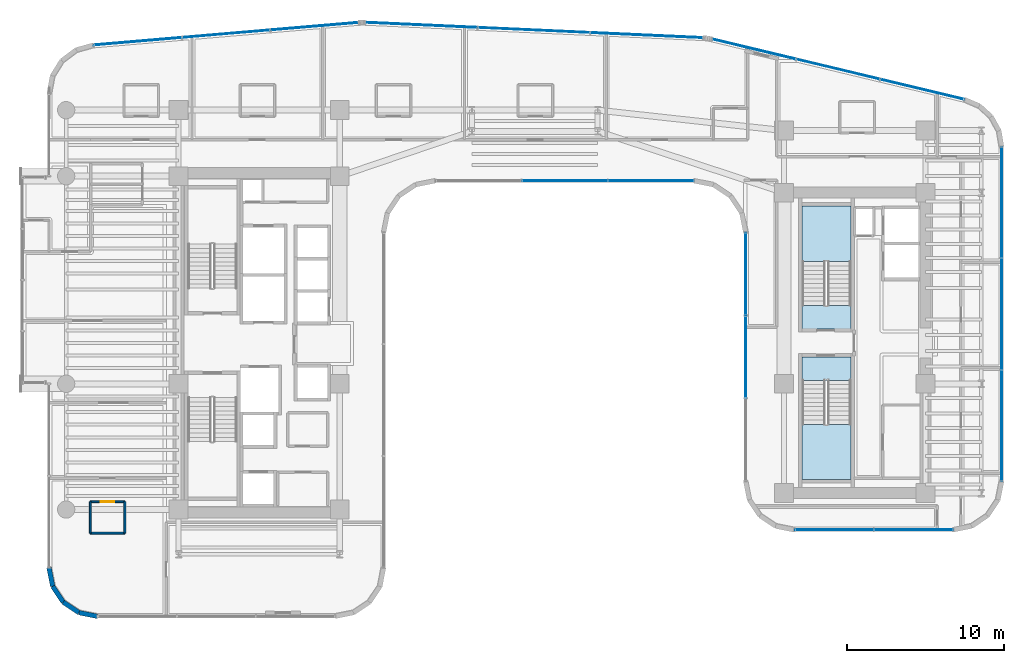
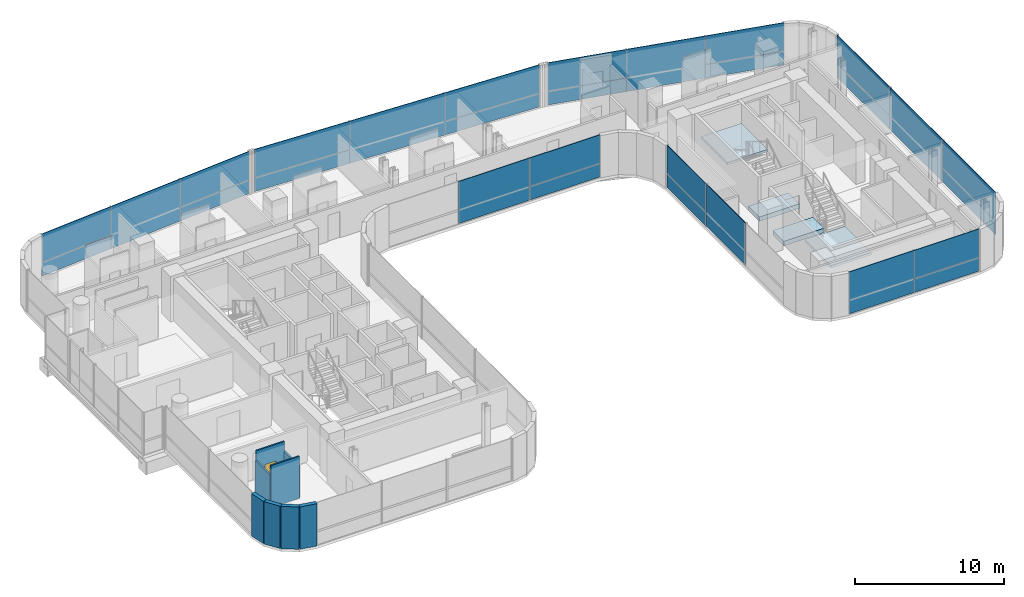
# One storey, part 25 of 35: 29 plates, 8 walls, 4 slabs, 1 door, 1 opening, 9 elements without a shape of their own.
"""IFC4 building model written with IfcOpenShell, lengths in metres."""

from ifc_helpers import new_model, si_unit, direction, frame, frame_2d, origin, origin_2d, place, context, subcontext, project, spatial, polyline, rectangle, outline, extrude, source, transform, mapped, material, layer, layer_set, type_object, element, fill, aggregate, save


model = new_model("IFC4")

# Units and contexts
model_context = context("Model", 3, precision=1e-05, world=origin(), true_north=direction((0.0, 1.0)))
body_context = subcontext(model_context, "Body", "Model", "MODEL_VIEW")
ifc_project = project(units=[si_unit("LENGTHUNIT", "METRE"), si_unit("AREAUNIT", "SQUARE_METRE"), si_unit("VOLUMEUNIT", "CUBIC_METRE"), si_unit("PLANEANGLEUNIT", "RADIAN"), si_unit("MASSUNIT", "GRAM", prefix="KILO")], contexts=[model_context])

# Site, building, storey
site_placement = place(None, origin())
site = spatial("IfcSite", under=ifc_project, at=site_placement, CompositionType="ELEMENT")
building_placement = place(site_placement, origin())
building = spatial("IfcBuilding", under=site, at=building_placement, Name="Valdorenza Pilgrim Sanctuary Tower", CompositionType="ELEMENT")
storey_placement = place(building_placement, frame((0.0, 0.0, 113.10009765625)))
storey = spatial("IfcBuildingStorey", under=building, at=storey_placement, Name="L28", CompositionType="ELEMENT", Elevation=113.10009765625)

# Stair, slab
ifc_material_1 = material(Name="Concrete C40/50", Category="concrete")
stair_type = type_object("IfcStairType", Name="STR-DOG-CORE", PredefinedType="HALF_TURN_STAIR", material=ifc_material_1)
stair_1_placement = place(storey_placement, origin())
stair_1 = element("IfcStair", 1, at=stair_1_placement, inside=storey, type_object=stair_type, Name="L28 ST-B1", PredefinedType="HALF_TURN_STAIR")
ifc_layer_1 = layer(ifc_material_1, 0.199951171875, Name="Concrete C40/50")
ifc_layer_set_1 = layer_set([ifc_layer_1], Name="Concrete C40/50")
slab_type_1 = type_object("IfcSlabType", Name="SLAB-STL-200", PredefinedType="LANDING", material=ifc_layer_set_1)
slab_1_placement = place(storey_placement, frame((0.0, 0.0, 1.64990234375)))
slab_1 = element("IfcSlab", 2, at=slab_1_placement, type_object=slab_type_1, Name="ST-B1 landing 1", PredefinedType="LANDING", context=body_context, shape_type="SweptSolid", body=[
    extrude(outline(polyline([(20.110107421875, 5.179931640625), (20.110107421875, 8.699951171875), (17.0, 8.699951171875), (17.0, 5.179931640625), (20.110107421875, 5.179931640625)])), origin(), (0.0, 0.0, 1.0), 0.199951171875),
])
aggregate(stair_1, [slab_1])

stair_2_placement = place(storey_placement, origin())
stair_2 = element("IfcStair", 3, at=stair_2_placement, inside=storey, type_object=stair_type, Name="L28 ST-B2", PredefinedType="HALF_TURN_STAIR")
slab_2_placement = place(storey_placement, frame((0.0, 0.0, 1.64990234375)))
slab_2 = element("IfcSlab", 4, at=slab_2_placement, type_object=slab_type_1, Name="ST-B2 landing 1", PredefinedType="LANDING", context=body_context, shape_type="SweptSolid", body=[
    extrude(outline(polyline([(17.0, -5.179931640625), (17.0, -8.699951171875), (20.110107421875, -8.699951171875), (20.110107421875, -5.179931640625), (17.0, -5.179931640625)])), origin(), (0.0, 0.0, 1.0), 0.199951171875),
])
aggregate(stair_2, [slab_2])

# Slabs
ifc_material_2 = material(Name="Concrete C50/60", Category="concrete")
ifc_layer_2 = layer(ifc_material_2, 0.39990234375, Name="Concrete C50/60")
ifc_layer_set_2 = layer_set([ifc_layer_2], Name="Concrete C50/60")
slab_type_2 = type_object("IfcSlabType", Name="SLAB-TRF-400", PredefinedType="FLOOR", material=ifc_layer_set_2)
slab_3_placement = place(storey_placement, frame((0.0, 0.0, -0.360107421875)))
element("IfcSlab", 5, at=slab_3_placement, inside=storey, type_object=slab_type_2, Name="L28 ST-B1 Structural Stair Landing Bearing Slab", PredefinedType="FLOOR", context=body_context, shape_type="SweptSolid", body=[
    extrude(outline(polyline([(17.0, 0.89990234375), (20.110107421875, 0.89990234375), (20.110107421875, 2.385009765625), (17.0, 2.385009765625), (17.0, 0.89990234375)])), origin(), (0.0, 0.0, 1.0), 0.360107421875),
])
slab_4_placement = place(storey_placement, frame((0.0, 0.0, -0.360107421875)))
element("IfcSlab", 6, at=slab_4_placement, inside=storey, type_object=slab_type_2, Name="L28 ST-B2 Structural Stair Landing Bearing Slab", PredefinedType="FLOOR", context=body_context, shape_type="SweptSolid", body=[
    extrude(outline(polyline([(17.0, -2.385009765625), (20.110107421875, -2.385009765625), (20.110107421875, -0.89990234375), (17.0, -0.89990234375), (17.0, -2.385009765625)])), origin(), (0.0, 0.0, 1.0), 0.360107421875),
])

# Curtain wall, plates
ifc_material_3 = material(Name="Curtain-wall IGU glazing", Category="glass")
curtain_wall_type_1 = type_object("IfcCurtainWallType", Name="CW-SYS-02", PredefinedType="NOTDEFINED", material=ifc_material_3)
curtain_wall_1_placement = place(storey_placement, origin())
curtain_wall_1 = element("IfcCurtainWall", 7, at=curtain_wall_1_placement, inside=storey, type_object=curtain_wall_type_1, Name="L28 Curtain Wall CW-L28-1-36", PredefinedType="NOTDEFINED")
ifc_material_4 = material(Name="Honed travertine limestone", Category="masonry")
ifc_layer_3 = layer(ifc_material_4, 0.050048828125, Name="Honed travertine limestone")
ifc_layer_set_3 = layer_set([ifc_layer_3], Name="Honed travertine limestone")
plate_type_1 = type_object("IfcPlateType", Name="CW-SPN-TRV", PredefinedType="USERDEFINED", material=ifc_layer_set_3)
shared_shape_1 = source(origin(), body_context, "Body", "SweptSolid", [
    extrude(rectangle(XDim=5.453857421875, YDim=0.06005859375, at=origin_2d()), origin(), (0.0, 0.0, 1.0), 1.10009765625),
])
plate_1_placement = place(storey_placement, frame((7.373779296875, 10.31005859375, 0.009765625), z_axis=(0.0, 0.0, 1.0), x_axis=(-1.0, 0.0, 0.0)))
plate_1 = element("IfcPlate", 8, at=plate_1_placement, type_object=plate_type_1, Name="CW-L28-1-36 Travertine Spandrel 1", ObjectType="SPANDREL", PredefinedType="USERDEFINED", context=body_context, shape_type="MappedRepresentation", body=[
    mapped(shared_shape_1, transform((0.0, 0.0, 0.0), x_axis=(1.0, 0.0, 0.0), y_axis=(0.0, 1.0, 0.0), z_axis=(0.0, 0.0, 1.0), scale=1.0)),
])
ifc_material_5 = material(Name="Ceramic-fritted low-E IGU glazing", Category="glass")
ifc_layer_4 = layer(ifc_material_5, 0.035888671875, Name="Ceramic-fritted low-E IGU glazing")
ifc_layer_set_4 = layer_set([ifc_layer_4], Name="Ceramic-fritted low-E IGU glazing")
plate_type_2 = type_object("IfcPlateType", Name="CW-GLZ-IGU", PredefinedType="USERDEFINED", material=ifc_layer_set_4)
shared_shape_2 = source(origin(), body_context, "Body", "SweptSolid", [
    extrude(rectangle(XDim=5.453857421875, YDim=0.050048828125, at=origin_2d()), origin(), (0.0, 0.0, 1.0), 2.320068359375),
])
plate_2_placement = place(storey_placement, frame((7.373779296875, 10.31005859375, 1.1298828125), z_axis=(0.0, 0.0, 1.0), x_axis=(-1.0, 0.0, 0.0)))
plate_2 = element("IfcPlate", 9, at=plate_2_placement, type_object=plate_type_2, Name="CW-L28-1-36 Facade Panel 1", ObjectType="GLAZING", PredefinedType="USERDEFINED", context=body_context, shape_type="MappedRepresentation", body=[
    mapped(shared_shape_2, transform((0.0, 0.0, 0.0), x_axis=(1.0, 0.0, 0.0), y_axis=(0.0, 1.0, 0.0), z_axis=(0.0, 0.0, 1.0), scale=1.0)),
])
shared_shape_3 = source(origin(), body_context, "Body", "SweptSolid", [
    extrude(rectangle(XDim=5.453857421875, YDim=0.050048828125, at=origin_2d()), origin(), (0.0, 0.0, 1.0), 3.43994140625),
])
plate_3_placement = place(storey_placement, frame((1.89990234375, 10.31005859375, 0.010009765625), z_axis=(0.0, 0.0, 1.0), x_axis=(-1.0, 0.0, 0.0)))
plate_3 = element("IfcPlate", 10, at=plate_3_placement, type_object=plate_type_2, Name="CW-L28-1-36 Full-Height Facade Panel 2", ObjectType="GLAZING", PredefinedType="USERDEFINED", context=body_context, shape_type="MappedRepresentation", body=[
    mapped(shared_shape_3, transform((0.0, 0.0, 0.0), x_axis=(1.0, 0.0, 0.0), y_axis=(0.0, 1.0, 0.0), z_axis=(0.0, 0.0, 1.0), scale=1.0)),
])
aggregate(curtain_wall_1, [plate_1, plate_2, plate_3])

curtain_wall_2_placement = place(storey_placement, origin())
curtain_wall_2 = element("IfcCurtainWall", 11, at=curtain_wall_2_placement, inside=storey, type_object=curtain_wall_type_1, Name="L28 Curtain Wall CW-L28-1-6", PredefinedType="NOTDEFINED")
shared_shape_4 = source(origin(), body_context, "Body", "SweptSolid", [
    extrude(rectangle(XDim=5.61767578125, YDim=0.06005859375, at=origin_2d()), origin(), (0.0, 0.0, 1.0), 1.10009765625),
])
plate_4_placement = place(storey_placement, frame((-25.242919921875, 19.178955078125, 0.009765625), z_axis=(0.0, 0.0, 1.0), x_axis=(0.99640764237, 0.084686541006, 0.0)))
plate_4 = element("IfcPlate", 12, at=plate_4_placement, type_object=plate_type_1, Name="CW-L28-1-6 Travertine Spandrel 1", ObjectType="SPANDREL", PredefinedType="USERDEFINED", context=body_context, shape_type="MappedRepresentation", body=[
    mapped(shared_shape_4, transform((0.0, 0.0, 0.0), x_axis=(1.0, 0.0, 0.0), y_axis=(0.0, 1.0, 0.0), z_axis=(0.0, 0.0, 1.0), scale=1.0)),
])
plate_5_placement = place(storey_placement, frame((-14.008056640625, 20.1337890625, 0.009765625), z_axis=(0.0, 0.0, 1.0), x_axis=(0.99640764237, 0.084686541006, 0.0)))
plate_5 = element("IfcPlate", 13, at=plate_5_placement, type_object=plate_type_1, Name="CW-L28-1-6 Travertine Spandrel 3", ObjectType="SPANDREL", PredefinedType="USERDEFINED", context=body_context, shape_type="MappedRepresentation", body=[
    mapped(shared_shape_4, transform((0.0, 0.0, 0.0), x_axis=(1.0, 0.0, 0.0), y_axis=(0.0, 1.0, 0.0), z_axis=(0.0, 0.0, 1.0), scale=1.0)),
])

curtain_wall_3_placement = place(storey_placement, origin())
curtain_wall_3 = element("IfcCurtainWall", 14, at=curtain_wall_3_placement, inside=storey, type_object=curtain_wall_type_1, Name="L28 Curtain Wall CW-L28-1-11", PredefinedType="NOTDEFINED")
shared_shape_5 = source(origin(), body_context, "Body", "SweptSolid", [
    extrude(rectangle(XDim=7.1494140625, YDim=0.06005859375, at=origin_2d()), origin(), (0.0, 0.0, 1.0), 1.10009765625),
])
plate_6_placement = place(storey_placement, frame((-7.21484375, 20.2177734375, 0.009765625), z_axis=(0.0, 0.0, 1.0), x_axis=(0.998968193221, -0.045415294044, 0.0)))
plate_6 = element("IfcPlate", 15, at=plate_6_placement, type_object=plate_type_1, Name="CW-L28-1-11 Travertine Spandrel 1", ObjectType="SPANDREL", PredefinedType="USERDEFINED", context=body_context, shape_type="MappedRepresentation", body=[
    mapped(shared_shape_5, transform((0.0, 0.0, 0.0), x_axis=(1.0, 0.0, 0.0), y_axis=(0.0, 1.0, 0.0), z_axis=(0.0, 0.0, 1.0), scale=1.0)),
])
plate_7_placement = place(storey_placement, frame((7.10888671875, 19.56689453125, 0.009765625), z_axis=(0.0, 0.0, 1.0), x_axis=(0.998968193221, -0.045415294044, 0.0)))
plate_7 = element("IfcPlate", 16, at=plate_7_placement, type_object=plate_type_1, Name="CW-L28-1-11 Travertine Spandrel 3", ObjectType="SPANDREL", PredefinedType="USERDEFINED", context=body_context, shape_type="MappedRepresentation", body=[
    mapped(shared_shape_5, transform((0.0, 0.0, 0.0), x_axis=(1.0, 0.0, 0.0), y_axis=(0.0, 1.0, 0.0), z_axis=(0.0, 0.0, 1.0), scale=1.0)),
])

curtain_wall_type_2 = type_object("IfcCurtainWallType", Name="CW-SYS-03", PredefinedType="NOTDEFINED", material=ifc_material_3)
curtain_wall_4_placement = place(storey_placement, origin())
curtain_wall_4 = element("IfcCurtainWall", 17, at=curtain_wall_4_placement, inside=storey, type_object=curtain_wall_type_2, Name="L28 Curtain Wall CW-L28-1-16", PredefinedType="NOTDEFINED")
shared_shape_6 = source(origin(), body_context, "Body", "SweptSolid", [
    extrude(rectangle(XDim=5.477294921875, YDim=0.06005859375, at=origin_2d()), origin(), (0.0, 0.0, 1.0), 1.10009765625),
])
plate_8_placement = place(storey_placement, frame((13.944580078125, 18.68212890625, 0.009765625), z_axis=(0.0, 0.0, 1.0), x_axis=(0.972528596343, -0.232783438617, 0.0)))
plate_8 = element("IfcPlate", 18, at=plate_8_placement, type_object=plate_type_1, Name="CW-L28-1-16 Travertine Spandrel 1", ObjectType="SPANDREL", PredefinedType="USERDEFINED", context=body_context, shape_type="MappedRepresentation", body=[
    mapped(shared_shape_6, transform((0.0, 0.0, 0.0), x_axis=(1.0, 0.0, 0.0), y_axis=(0.0, 1.0, 0.0), z_axis=(0.0, 0.0, 1.0), scale=1.0)),
])
plate_9_placement = place(storey_placement, frame((24.63720703125, 16.122802734375, 0.009765625), z_axis=(0.0, 0.0, 1.0), x_axis=(0.972528596343, -0.232783438617, 0.0)))
plate_9 = element("IfcPlate", 19, at=plate_9_placement, type_object=plate_type_1, Name="CW-L28-1-16 Travertine Spandrel 3", ObjectType="SPANDREL", PredefinedType="USERDEFINED", context=body_context, shape_type="MappedRepresentation", body=[
    mapped(shared_shape_6, transform((0.0, 0.0, 0.0), x_axis=(1.0, 0.0, 0.0), y_axis=(0.0, 1.0, 0.0), z_axis=(0.0, 0.0, 1.0), scale=1.0)),
])

curtain_wall_5_placement = place(storey_placement, origin())
curtain_wall_5 = element("IfcCurtainWall", 20, at=curtain_wall_5_placement, inside=storey, type_object=curtain_wall_type_2, Name="L28 Curtain Wall CW-L28-1-21", PredefinedType="NOTDEFINED")
shared_shape_7 = source(origin(), body_context, "Body", "SweptSolid", [
    extrude(rectangle(XDim=7.065185546875, YDim=0.06005859375, at=origin_2d()), origin(), (0.0, 0.0, 1.0), 1.10009765625),
])
plate_10_placement = place(storey_placement, frame((29.68994140625, 8.923828125, 0.009765625), z_axis=(0.0, 0.0, 1.0), x_axis=(0.0, -1.0, 0.0)))
plate_10 = element("IfcPlate", 21, at=plate_10_placement, type_object=plate_type_1, Name="CW-L28-1-21 Travertine Spandrel 1", ObjectType="SPANDREL", PredefinedType="USERDEFINED", context=body_context, shape_type="MappedRepresentation", body=[
    mapped(shared_shape_7, transform((0.0, 0.0, 0.0), x_axis=(1.0, 0.0, 0.0), y_axis=(0.0, 1.0, 0.0), z_axis=(0.0, 0.0, 1.0), scale=1.0)),
])
plate_11_placement = place(storey_placement, frame((29.68994140625, -5.24658203125, 0.009765625), z_axis=(0.0, 0.0, 1.0), x_axis=(0.0, -1.0, 0.0)))
plate_11 = element("IfcPlate", 22, at=plate_11_placement, type_object=plate_type_1, Name="CW-L28-1-21 Travertine Spandrel 3", ObjectType="SPANDREL", PredefinedType="USERDEFINED", context=body_context, shape_type="MappedRepresentation", body=[
    mapped(shared_shape_7, transform((0.0, 0.0, 0.0), x_axis=(1.0, 0.0, 0.0), y_axis=(0.0, 1.0, 0.0), z_axis=(0.0, 0.0, 1.0), scale=1.0)),
])

# Curtain wall, plate
curtain_wall_6_placement = place(storey_placement, origin())
curtain_wall_6 = element("IfcCurtainWall", 23, at=curtain_wall_6_placement, inside=storey, type_object=curtain_wall_type_2, Name="L28 Curtain Wall CW-L28-1-26", PredefinedType="NOTDEFINED")
shared_shape_8 = source(origin(), body_context, "Body", "SweptSolid", [
    extrude(rectangle(XDim=5.019287109375, YDim=0.06005859375, at=origin_2d()), origin(), (0.0, 0.0, 1.0), 1.10009765625),
])
plate_12_placement = place(storey_placement, frame((24.069580078125, -11.889892578125, 0.009765625), z_axis=(0.0, 0.0, 1.0), x_axis=(-1.0, 0.0, 0.0)))
plate_12 = element("IfcPlate", 24, at=plate_12_placement, type_object=plate_type_1, Name="CW-L28-1-26 Travertine Spandrel 1", ObjectType="SPANDREL", PredefinedType="USERDEFINED", context=body_context, shape_type="MappedRepresentation", body=[
    mapped(shared_shape_8, transform((0.0, 0.0, 0.0), x_axis=(1.0, 0.0, 0.0), y_axis=(0.0, 1.0, 0.0), z_axis=(0.0, 0.0, 1.0), scale=1.0)),
])

curtain_wall_7_placement = place(storey_placement, origin())
curtain_wall_7 = element("IfcCurtainWall", 25, at=curtain_wall_7_placement, inside=storey, type_object=curtain_wall_type_2, Name="L28 Curtain Wall CW-L28-1-31", PredefinedType="NOTDEFINED")
shared_shape_9 = source(origin(), body_context, "Body", "SweptSolid", [
    extrude(rectangle(XDim=5.24658203125, YDim=0.06005859375, at=origin_2d()), origin(), (0.0, 0.0, 1.0), 1.10009765625),
])
plate_13_placement = place(storey_placement, frame((13.409912109375, 4.37744140625, 0.009765625), z_axis=(0.0, 0.0, 1.0), x_axis=(0.0, 1.0, 0.0)))
plate_13 = element("IfcPlate", 26, at=plate_13_placement, type_object=plate_type_1, Name="CW-L28-1-31 Travertine Spandrel 3", ObjectType="SPANDREL", PredefinedType="USERDEFINED", context=body_context, shape_type="MappedRepresentation", body=[
    mapped(shared_shape_9, transform((0.0, 0.0, 0.0), x_axis=(1.0, 0.0, 0.0), y_axis=(0.0, 1.0, 0.0), z_axis=(0.0, 0.0, 1.0), scale=1.0)),
])

# Plate
shared_shape_10 = source(origin(), body_context, "Body", "SweptSolid", [
    extrude(rectangle(XDim=5.61767578125, YDim=0.050048828125, at=origin_2d()), origin(), (0.0, 0.0, 1.0), 3.43994140625),
])
plate_14_placement = place(storey_placement, frame((-19.62548828125, 19.656494140625, 0.010009765625), z_axis=(0.0, 0.0, 1.0), x_axis=(0.99640764237, 0.084686541006, 0.0)))
plate_14 = element("IfcPlate", 27, at=plate_14_placement, type_object=plate_type_2, Name="CW-L28-1-6 Full-Height Facade Panel 2", ObjectType="GLAZING", PredefinedType="USERDEFINED", context=body_context, shape_type="MappedRepresentation", body=[
    mapped(shared_shape_10, transform((0.0, 0.0, 0.0), x_axis=(1.0, 0.0, 0.0), y_axis=(0.0, 1.0, 0.0), z_axis=(0.0, 0.0, 1.0), scale=1.0)),
])

shared_shape_11 = source(origin(), body_context, "Body", "SweptSolid", [
    extrude(rectangle(XDim=5.61767578125, YDim=0.050048828125, at=origin_2d()), origin(), (0.0, 0.0, 1.0), 2.320068359375),
])
plate_15_placement = place(storey_placement, frame((-25.242919921875, 19.178955078125, 1.1298828125), z_axis=(0.0, 0.0, 1.0), x_axis=(0.99640764237, 0.084686541006, 0.0)))
plate_15 = element("IfcPlate", 28, at=plate_15_placement, type_object=plate_type_2, Name="CW-L28-1-6 Facade Panel 1", ObjectType="GLAZING", PredefinedType="USERDEFINED", context=body_context, shape_type="MappedRepresentation", body=[
    mapped(shared_shape_11, transform((0.0, 0.0, 0.0), x_axis=(1.0, 0.0, 0.0), y_axis=(0.0, 1.0, 0.0), z_axis=(0.0, 0.0, 1.0), scale=1.0)),
])

plate_16_placement = place(storey_placement, frame((-14.008056640625, 20.1337890625, 1.1298828125), z_axis=(0.0, 0.0, 1.0), x_axis=(0.99640764237, 0.084686541006, 0.0)))
plate_16 = element("IfcPlate", 29, at=plate_16_placement, type_object=plate_type_2, Name="CW-L28-1-6 Facade Panel 3", ObjectType="GLAZING", PredefinedType="USERDEFINED", context=body_context, shape_type="MappedRepresentation", body=[
    mapped(shared_shape_11, transform((0.0, 0.0, 0.0), x_axis=(1.0, 0.0, 0.0), y_axis=(0.0, 1.0, 0.0), z_axis=(0.0, 0.0, 1.0), scale=1.0)),
])

aggregate(curtain_wall_2, [plate_4, plate_15, plate_14, plate_5, plate_16])

shared_shape_12 = source(origin(), body_context, "Body", "SweptSolid", [
    extrude(rectangle(XDim=7.1494140625, YDim=0.050048828125, at=origin_2d()), origin(), (0.0, 0.0, 1.0), 3.43994140625),
])
plate_17_placement = place(storey_placement, frame((-0.052978515625, 19.892333984375, 0.010009765625), z_axis=(0.0, 0.0, 1.0), x_axis=(0.998968193221, -0.045415294044, 0.0)))
plate_17 = element("IfcPlate", 30, at=plate_17_placement, type_object=plate_type_2, Name="CW-L28-1-11 Full-Height Facade Panel 2", ObjectType="GLAZING", PredefinedType="USERDEFINED", context=body_context, shape_type="MappedRepresentation", body=[
    mapped(shared_shape_12, transform((0.0, 0.0, 0.0), x_axis=(1.0, 0.0, 0.0), y_axis=(0.0, 1.0, 0.0), z_axis=(0.0, 0.0, 1.0), scale=1.0)),
])

shared_shape_13 = source(origin(), body_context, "Body", "SweptSolid", [
    extrude(rectangle(XDim=7.1494140625, YDim=0.050048828125, at=origin_2d()), origin(), (0.0, 0.0, 1.0), 2.320068359375),
])
plate_18_placement = place(storey_placement, frame((-7.21484375, 20.2177734375, 1.1298828125), z_axis=(0.0, 0.0, 1.0), x_axis=(0.998968193221, -0.045415294044, 0.0)))
plate_18 = element("IfcPlate", 31, at=plate_18_placement, type_object=plate_type_2, Name="CW-L28-1-11 Facade Panel 1", ObjectType="GLAZING", PredefinedType="USERDEFINED", context=body_context, shape_type="MappedRepresentation", body=[
    mapped(shared_shape_13, transform((0.0, 0.0, 0.0), x_axis=(1.0, 0.0, 0.0), y_axis=(0.0, 1.0, 0.0), z_axis=(0.0, 0.0, 1.0), scale=1.0)),
])

plate_19_placement = place(storey_placement, frame((7.10888671875, 19.56689453125, 1.1298828125), z_axis=(0.0, 0.0, 1.0), x_axis=(0.998968193221, -0.045415294044, 0.0)))
plate_19 = element("IfcPlate", 32, at=plate_19_placement, type_object=plate_type_2, Name="CW-L28-1-11 Facade Panel 3", ObjectType="GLAZING", PredefinedType="USERDEFINED", context=body_context, shape_type="MappedRepresentation", body=[
    mapped(shared_shape_13, transform((0.0, 0.0, 0.0), x_axis=(1.0, 0.0, 0.0), y_axis=(0.0, 1.0, 0.0), z_axis=(0.0, 0.0, 1.0), scale=1.0)),
])

aggregate(curtain_wall_3, [plate_6, plate_18, plate_17, plate_7, plate_19])

shared_shape_14 = source(origin(), body_context, "Body", "SweptSolid", [
    extrude(rectangle(XDim=5.477294921875, YDim=0.050048828125, at=origin_2d()), origin(), (0.0, 0.0, 1.0), 3.43994140625),
])
plate_20_placement = place(storey_placement, frame((19.291015625, 17.40234375, 0.010009765625), z_axis=(0.0, 0.0, 1.0), x_axis=(0.972528596343, -0.232783438617, 0.0)))
plate_20 = element("IfcPlate", 33, at=plate_20_placement, type_object=plate_type_2, Name="CW-L28-1-16 Full-Height Facade Panel 2", ObjectType="GLAZING", PredefinedType="USERDEFINED", context=body_context, shape_type="MappedRepresentation", body=[
    mapped(shared_shape_14, transform((0.0, 0.0, 0.0), x_axis=(1.0, 0.0, 0.0), y_axis=(0.0, 1.0, 0.0), z_axis=(0.0, 0.0, 1.0), scale=1.0)),
])

shared_shape_15 = source(origin(), body_context, "Body", "SweptSolid", [
    extrude(rectangle(XDim=5.477294921875, YDim=0.050048828125, at=origin_2d()), origin(), (0.0, 0.0, 1.0), 2.320068359375),
])
plate_21_placement = place(storey_placement, frame((13.944580078125, 18.68212890625, 1.1298828125), z_axis=(0.0, 0.0, 1.0), x_axis=(0.972528596343, -0.232783438617, 0.0)))
plate_21 = element("IfcPlate", 34, at=plate_21_placement, type_object=plate_type_2, Name="CW-L28-1-16 Facade Panel 1", ObjectType="GLAZING", PredefinedType="USERDEFINED", context=body_context, shape_type="MappedRepresentation", body=[
    mapped(shared_shape_15, transform((0.0, 0.0, 0.0), x_axis=(1.0, 0.0, 0.0), y_axis=(0.0, 1.0, 0.0), z_axis=(0.0, 0.0, 1.0), scale=1.0)),
])

plate_22_placement = place(storey_placement, frame((24.63720703125, 16.122802734375, 1.1298828125), z_axis=(0.0, 0.0, 1.0), x_axis=(0.972528596343, -0.232783438617, 0.0)))
plate_22 = element("IfcPlate", 35, at=plate_22_placement, type_object=plate_type_2, Name="CW-L28-1-16 Facade Panel 3", ObjectType="GLAZING", PredefinedType="USERDEFINED", context=body_context, shape_type="MappedRepresentation", body=[
    mapped(shared_shape_15, transform((0.0, 0.0, 0.0), x_axis=(1.0, 0.0, 0.0), y_axis=(0.0, 1.0, 0.0), z_axis=(0.0, 0.0, 1.0), scale=1.0)),
])

aggregate(curtain_wall_4, [plate_8, plate_21, plate_20, plate_9, plate_22])

shared_shape_16 = source(origin(), body_context, "Body", "SweptSolid", [
    extrude(rectangle(XDim=7.065185546875, YDim=0.050048828125, at=origin_2d()), origin(), (0.0, 0.0, 1.0), 2.320068359375),
])
plate_23_placement = place(storey_placement, frame((29.68994140625, 8.923828125, 1.1298828125), z_axis=(0.0, 0.0, 1.0), x_axis=(0.0, -1.0, 0.0)))
plate_23 = element("IfcPlate", 36, at=plate_23_placement, type_object=plate_type_2, Name="CW-L28-1-21 Facade Panel 1", ObjectType="GLAZING", PredefinedType="USERDEFINED", context=body_context, shape_type="MappedRepresentation", body=[
    mapped(shared_shape_16, transform((0.0, 0.0, 0.0), x_axis=(1.0, 0.0, 0.0), y_axis=(0.0, 1.0, 0.0), z_axis=(0.0, 0.0, 1.0), scale=1.0)),
])

plate_24_placement = place(storey_placement, frame((29.68994140625, -5.24658203125, 1.1298828125), z_axis=(0.0, 0.0, 1.0), x_axis=(0.0, -1.0, 0.0)))
plate_24 = element("IfcPlate", 37, at=plate_24_placement, type_object=plate_type_2, Name="CW-L28-1-21 Facade Panel 3", ObjectType="GLAZING", PredefinedType="USERDEFINED", context=body_context, shape_type="MappedRepresentation", body=[
    mapped(shared_shape_16, transform((0.0, 0.0, 0.0), x_axis=(1.0, 0.0, 0.0), y_axis=(0.0, 1.0, 0.0), z_axis=(0.0, 0.0, 1.0), scale=1.0)),
])

shared_shape_17 = source(origin(), body_context, "Body", "SweptSolid", [
    extrude(rectangle(XDim=7.065185546875, YDim=0.050048828125, at=origin_2d()), origin(), (0.0, 0.0, 1.0), 3.43994140625),
])
plate_25_placement = place(storey_placement, frame((29.68994140625, 1.838623046875, 0.010009765625), z_axis=(0.0, 0.0, 1.0), x_axis=(0.0, -1.0, 0.0)))
plate_25 = element("IfcPlate", 38, at=plate_25_placement, type_object=plate_type_2, Name="CW-L28-1-21 Full-Height Facade Panel 2", ObjectType="GLAZING", PredefinedType="USERDEFINED", context=body_context, shape_type="MappedRepresentation", body=[
    mapped(shared_shape_17, transform((0.0, 0.0, 0.0), x_axis=(1.0, 0.0, 0.0), y_axis=(0.0, 1.0, 0.0), z_axis=(0.0, 0.0, 1.0), scale=1.0)),
])

aggregate(curtain_wall_5, [plate_10, plate_23, plate_25, plate_11, plate_24])

shared_shape_18 = source(origin(), body_context, "Body", "SweptSolid", [
    extrude(rectangle(XDim=5.019287109375, YDim=0.050048828125, at=origin_2d()), origin(), (0.0, 0.0, 1.0), 2.320068359375),
])
plate_26_placement = place(storey_placement, frame((24.069580078125, -11.889892578125, 1.1298828125), z_axis=(0.0, 0.0, 1.0), x_axis=(-1.0, 0.0, 0.0)))
plate_26 = element("IfcPlate", 39, at=plate_26_placement, type_object=plate_type_2, Name="CW-L28-1-26 Facade Panel 1", ObjectType="GLAZING", PredefinedType="USERDEFINED", context=body_context, shape_type="MappedRepresentation", body=[
    mapped(shared_shape_18, transform((0.0, 0.0, 0.0), x_axis=(1.0, 0.0, 0.0), y_axis=(0.0, 1.0, 0.0), z_axis=(0.0, 0.0, 1.0), scale=1.0)),
])

shared_shape_19 = source(origin(), body_context, "Body", "SweptSolid", [
    extrude(rectangle(XDim=5.019287109375, YDim=0.050048828125, at=origin_2d()), origin(), (0.0, 0.0, 1.0), 3.43994140625),
])
plate_27_placement = place(storey_placement, frame((19.030517578125, -11.889892578125, 0.010009765625), z_axis=(0.0, 0.0, 1.0), x_axis=(-1.0, 0.0, 0.0)))
plate_27 = element("IfcPlate", 40, at=plate_27_placement, type_object=plate_type_2, Name="CW-L28-1-26 Full-Height Facade Panel 2", ObjectType="GLAZING", PredefinedType="USERDEFINED", context=body_context, shape_type="MappedRepresentation", body=[
    mapped(shared_shape_19, transform((0.0, 0.0, 0.0), x_axis=(1.0, 0.0, 0.0), y_axis=(0.0, 1.0, 0.0), z_axis=(0.0, 0.0, 1.0), scale=1.0)),
])

aggregate(curtain_wall_6, [plate_12, plate_26, plate_27])

shared_shape_20 = source(origin(), body_context, "Body", "SweptSolid", [
    extrude(rectangle(XDim=5.24658203125, YDim=0.050048828125, at=origin_2d()), origin(), (0.0, 0.0, 1.0), 2.320068359375),
])
plate_28_placement = place(storey_placement, frame((13.409912109375, 4.37744140625, 1.1298828125), z_axis=(0.0, 0.0, 1.0), x_axis=(0.0, 1.0, 0.0)))
plate_28 = element("IfcPlate", 41, at=plate_28_placement, type_object=plate_type_2, Name="CW-L28-1-31 Facade Panel 3", ObjectType="GLAZING", PredefinedType="USERDEFINED", context=body_context, shape_type="MappedRepresentation", body=[
    mapped(shared_shape_20, transform((0.0, 0.0, 0.0), x_axis=(1.0, 0.0, 0.0), y_axis=(0.0, 1.0, 0.0), z_axis=(0.0, 0.0, 1.0), scale=1.0)),
])

shared_shape_21 = source(origin(), body_context, "Body", "SweptSolid", [
    extrude(rectangle(XDim=5.24658203125, YDim=0.050048828125, at=origin_2d()), origin(), (0.0, 0.0, 1.0), 3.43994140625),
])
plate_29_placement = place(storey_placement, frame((13.409912109375, -0.88916015625, 0.010009765625), z_axis=(0.0, 0.0, 1.0), x_axis=(0.0, 1.0, 0.0)))
plate_29 = element("IfcPlate", 42, at=plate_29_placement, type_object=plate_type_2, Name="CW-L28-1-31 Full-Height Facade Panel 2", ObjectType="GLAZING", PredefinedType="USERDEFINED", context=body_context, shape_type="MappedRepresentation", body=[
    mapped(shared_shape_21, transform((0.0, 0.0, 0.0), x_axis=(1.0, 0.0, 0.0), y_axis=(0.0, 1.0, 0.0), z_axis=(0.0, 0.0, 1.0), scale=1.0)),
])

aggregate(curtain_wall_7, [plate_29, plate_13, plate_28])

# Walls
ifc_layer_5 = layer(ifc_material_4, 0.300048828125, Name="Honed travertine limestone")
ifc_layer_set_5 = layer_set([ifc_layer_5], Name="Honed travertine limestone")
wall_type_1 = type_object("IfcWallType", Name="WAL-EXT-300", PredefinedType="SOLIDWALL", material=ifc_layer_set_5)
wall_1_placement = place(storey_placement, frame((-27.789306640625, -17.389892578125, 0.0), z_axis=(0.0, 0.0, 1.0), x_axis=(-0.980804027463, 0.194996050505, 0.0)))
element("IfcWall", 43, at=wall_1_placement, inside=storey, type_object=wall_type_1, Name="L28 Rounded Wind-Corner Stone Pier 47", PredefinedType="SOLIDWALL", context=body_context, shape_type="SweptSolid", body=[
    extrude(rectangle(XDim=1.2158203125, YDim=0.300048828125, at=frame_2d((0.60791015625, 0.0))), origin(), (0.0, 0.0, 1.0), 3.4599609375),
])
for number, where, z_axis, x_axis, name in (
    (44, (-28.981689453125, -17.15283203125, 0.0), (0.0, 0.0, 1.0), (-0.831426265255, 0.555635100982, 0.0), "L28 Rounded Wind-Corner Stone Pier 48"),
    (45, (-29.9833984375, -16.4833984375, 0.0), (0.0, 0.0, 1.0), (-0.555635100982, 0.831426265255, 0.0), "L28 Rounded Wind-Corner Stone Pier 49"),
):
    element("IfcWall", number, at=place(storey_placement, frame(where, z_axis=z_axis, x_axis=x_axis)), inside=storey, type_object=wall_type_1, Name=name, PredefinedType="SOLIDWALL", context=body_context, shape_type="SweptSolid", body=[
        extrude(rectangle(XDim=1.204833984375, YDim=0.300048828125, at=frame_2d((0.6025390625, 0.0))), origin(), (0.0, 0.0, 1.0), 3.4599609375),
    ])
wall_2_placement = place(storey_placement, frame((-30.65283203125, -15.481689453125, 0.0), z_axis=(0.0, 0.0, 1.0), x_axis=(-0.194996050505, 0.980804027463, 0.0)))
element("IfcWall", 46, at=wall_2_placement, inside=storey, type_object=wall_type_1, Name="L28 Rounded Wind-Corner Stone Pier 50", PredefinedType="SOLIDWALL", context=body_context, shape_type="SweptSolid", body=[
    extrude(rectangle(XDim=1.2158203125, YDim=0.300048828125, at=frame_2d((0.60791015625, 0.0))), origin(), (0.0, 0.0, 1.0), 3.4599609375),
])
ifc_material_6 = material(Name="Moisture-resistant gypsum partition", Category="gypsum")
ifc_layer_6 = layer(ifc_material_6, 0.1201171875, Name="Moisture-resistant gypsum partition")
ifc_layer_set_6 = layer_set([ifc_layer_6], Name="Moisture-resistant gypsum partition")
wall_type_2 = type_object("IfcWallType", Name="WAL-INT-120", PredefinedType="PARTITIONING", material=ifc_layer_set_6)
for number, where, z_axis, x_axis, name in (
    (47, (-28.27001953125, -12.10009765625, 0.0), (0.0, 0.0, 1.0), (0.0, 1.0, 0.0), "L28 Pilgrim Guest Room L28-CS1 En-suite West Wall"),
    (48, (-26.070068359375, -12.10009765625, 0.0), (0.0, 0.0, 1.0), (0.0, 1.0, 0.0), "L28 Pilgrim Guest Room L28-CS1 En-suite East Wall"),
):
    element("IfcWall", number, at=place(storey_placement, frame(where, z_axis=z_axis, x_axis=x_axis)), inside=storey, type_object=wall_type_2, Name=name, PredefinedType="PARTITIONING", context=body_context, shape_type="SweptSolid", body=[
        extrude(rectangle(XDim=2.0, YDim=0.1201171875, at=frame_2d((1.0, 0.0))), origin(), (0.0, 0.0, 1.0), 2.666015625),
    ])
wall_3_placement = place(storey_placement, frame((-28.27001953125, -12.10009765625, 0.0), z_axis=(0.0, 0.0, 1.0), x_axis=(1.0, 0.0, 0.0)))
element("IfcWall", 49, at=wall_3_placement, inside=storey, type_object=wall_type_2, Name="L28 Pilgrim Guest Room L28-CS1 En-suite Back Wall", PredefinedType="PARTITIONING", context=body_context, shape_type="SweptSolid", body=[
    extrude(rectangle(XDim=2.199951171875, YDim=0.1201171875, at=frame_2d((1.10009765625, 0.0))), origin(), (0.0, 0.0, 1.0), 3.4599609375),
])

# Wall, opening, door
wall_4_placement = place(storey_placement, frame((-28.27001953125, -10.10009765625, 0.0), z_axis=(0.0, 0.0, 1.0), x_axis=(1.0, 0.0, 0.0)))
wall_4 = element("IfcWall", 50, at=wall_4_placement, inside=storey, type_object=wall_type_2, Name="L28 Pilgrim Guest Room L28-CS1 En-suite Door Wall", PredefinedType="PARTITIONING", context=body_context, shape_type="SweptSolid", body=[
    extrude(rectangle(XDim=2.199951171875, YDim=0.1201171875, at=frame_2d((1.10009765625, 0.0))), origin(), (0.0, 0.0, 1.0), 3.4599609375),
])
opening_placement = place(wall_4_placement, frame((0.675048828125, 0.0, 0.0)))
opening = element("IfcOpeningElement", 51, at=opening_placement, cuts=wall_4, Name="Opening DR-WC1", PredefinedType="OPENING", context=body_context, shape_type="SweptSolid", body=[
    extrude(rectangle(XDim=0.85009765625, YDim=2.10009765625, at=frame_2d((0.425048828125, 1.050048828125))), frame((0.0, 0.074951171875, 0.0), z_axis=(0.0, -1.0, 0.0), x_axis=(1.0, 0.0, 0.0)), (0.0, 0.0, 1.0), 0.14990234375),
])
ifc_material_7 = material(Name="Moisture-resistant lacquered timber", Category="wood")
door_type = type_object("IfcDoorType", Name="DR-BATH-850", OperationType="NOTDEFINED", PredefinedType="DOOR", material=ifc_material_7)
door_placement = place(opening_placement, origin())
door = element("IfcDoor", 52, at=door_placement, inside=storey, type_object=door_type, Name="L28 Pilgrim Guest Room L28-CS1 En-suite Bathroom Door", OperationType="SINGLE_SWING_LEFT", OverallHeight=2.10009765625, OverallWidth=0.85009765625, PredefinedType="DOOR", context=body_context, shape_type="SweptSolid", body=[
    extrude(rectangle(XDim=0.85009765625, YDim=2.10009765625, at=frame_2d((0.425048828125, 1.050048828125))), frame((0.0, 0.02490234375, 0.0), z_axis=(0.0, -1.0, 0.0), x_axis=(1.0, 0.0, 0.0)), (0.0, 0.0, 1.0), 0.050048828125),
])
fill(opening, door)

save(model, "model.ifc")
